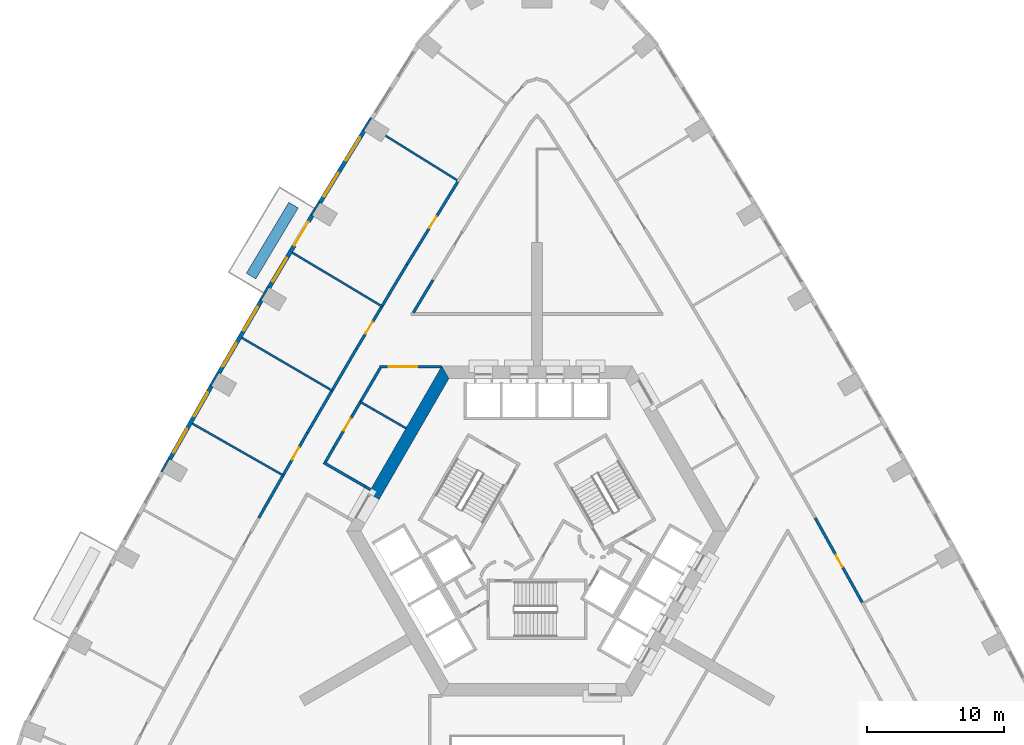
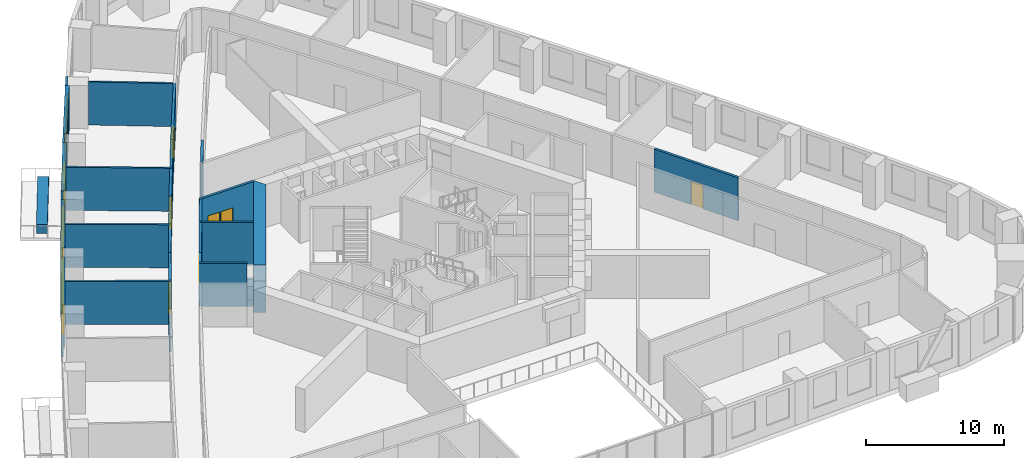
# One storey, part 8 of 15: 31 walls, 8 doors, 7 windows, 15 openings.
"""IFC4 building model written with IfcOpenShell, lengths in metres."""

from ifc_helpers import new_model, si_unit, direction, frame, frame_2d, origin, place, context, subcontext, project, spatial, polyline, rectangle, outline, extrude, material, layer, layer_set, type_object, element, fill, save


model = new_model("IFC4")

# Units and contexts
model_context = context("Model", 3, precision=1e-05, world=origin(), true_north=direction((0.0, 1.0)))
body_context = subcontext(model_context, "Body", "Model", "MODEL_VIEW")
ifc_project = project(units=[si_unit("LENGTHUNIT", "METRE"), si_unit("AREAUNIT", "SQUARE_METRE"), si_unit("VOLUMEUNIT", "CUBIC_METRE"), si_unit("PLANEANGLEUNIT", "RADIAN"), si_unit("MASSUNIT", "GRAM", prefix="KILO")], contexts=[model_context])

# Site, building, storey
site_placement = place(None, origin())
site = spatial("IfcSite", under=ifc_project, at=site_placement, CompositionType="ELEMENT")
building_placement = place(site_placement, origin())
building = spatial("IfcBuilding", under=site, at=building_placement, Name="Entoto Arch Interchange Tower", CompositionType="ELEMENT")
storey_placement = place(building_placement, frame((0.0, 0.0, 120.199951171875)))
storey = spatial("IfcBuildingStorey", under=building, at=storey_placement, Name="L26", CompositionType="ELEMENT", Elevation=120.199951171875)

# Walls
ifc_material_1 = material(Name="Concrete C60/75", Category="concrete")
ifc_layer_1 = layer(ifc_material_1, 0.89990234375)
ifc_layer_set_1 = layer_set([ifc_layer_1], Name="Concrete C60/75")
wall_type_1 = type_object("IfcWallType", Name="Core wall 900 C60/75", PredefinedType="SHEAR", material=ifc_layer_set_1)
wall_1_placement = place(storey_placement, frame((0.0, 0.0, -0.39990234375)))
element("IfcWall", 1, at=wall_1_placement, inside=storey, type_object=wall_type_1, Name="Core wall NW L26", PredefinedType="SHEAR", context=body_context, shape_type="SweptSolid", body=[
    extrude(outline(polyline([(-12.26708984375, 5.251953125), (-11.488037109375, 4.802001953125), (-6.408935546875, 13.60009765625), (-6.927978515625, 14.5), (-12.26708984375, 5.251953125)])), origin(), (0.0, 0.0, 1.0), 4.199951171875),
])
ifc_material_2 = material(Name="Gypsum board partition on steel studs", Category="steel")
ifc_layer_2 = layer(ifc_material_2, 0.14990234375)
ifc_layer_set_2 = layer_set([ifc_layer_2], Name="Gypsum board partition on steel studs")
wall_type_2 = type_object("IfcWallType", Name="PARTITION 150", PredefinedType="PARTITIONING", material=ifc_layer_set_2)
wall_2_placement = place(storey_placement, frame((-9.537109375, 9.98095703125, 0.0), z_axis=(0.0, 0.0, 1.0), x_axis=(-0.866068787954, 0.499924848885, 0.0)))
element("IfcWall", 2, at=wall_2_placement, inside=storey, type_object=wall_type_2, Name="wall:L26:p089", PredefinedType="PARTITIONING", context=body_context, shape_type="SweptSolid", body=[
    extrude(rectangle(XDim=3.82861328125, YDim=0.14990234375, at=frame_2d((1.914306640625, 0.0))), origin(), (0.0, 0.0, 1.0), 3.800048828125),
])
wall_3_placement = place(storey_placement, frame((-5.81396484375, 28.031005859375, 0.0), z_axis=(0.0, 0.0, 1.0), x_axis=(-0.849222099047, 0.528035819324, 0.0)))
element("IfcWall", 3, at=wall_3_placement, inside=storey, type_object=wall_type_2, Name="wall:L26:p127", PredefinedType="PARTITIONING", context=body_context, shape_type="SweptSolid", body=[
    extrude(rectangle(XDim=6.13037109375, YDim=0.14990234375, at=frame_2d((3.065185546875, 0.0))), origin(), (0.0, 0.0, 1.0), 3.800048828125),
])
wall_4_placement = place(storey_placement, frame((-11.201904296875, 18.802978515625, 0.0), z_axis=(0.0, 0.0, 1.0), x_axis=(-0.857778149162, 0.514020084062, 0.0)))
element("IfcWall", 4, at=wall_4_placement, inside=storey, type_object=wall_type_2, Name="wall:L26:p128", PredefinedType="PARTITIONING", context=body_context, shape_type="SweptSolid", body=[
    extrude(rectangle(XDim=7.7001953125, YDim=0.14990234375, at=frame_2d((3.85009765625, 0.0))), origin(), (0.0, 0.0, 1.0), 3.800048828125),
])
wall_5_placement = place(storey_placement, frame((-14.830078125, 12.674072265625, 0.0), z_axis=(0.0, 0.0, 1.0), x_axis=(-0.863237916953, 0.504797284794, 0.0)))
element("IfcWall", 5, at=wall_5_placement, inside=storey, type_object=wall_type_2, Name="wall:L26:p129", PredefinedType="PARTITIONING", context=body_context, shape_type="SweptSolid", body=[
    extrude(rectangle(XDim=7.699951171875, YDim=0.14990234375, at=frame_2d((3.85009765625, 0.0))), origin(), (0.0, 0.0, 1.0), 3.800048828125),
])
wall_6_placement = place(storey_placement, frame((-18.39111328125, 6.506103515625, 0.0), z_axis=(0.0, 0.0, 1.0), x_axis=(-0.868738258528, 0.495271479261, 0.0)))
element("IfcWall", 6, at=wall_6_placement, inside=storey, type_object=wall_type_2, Name="wall:L26:p130", PredefinedType="PARTITIONING", context=body_context, shape_type="SweptSolid", body=[
    extrude(rectangle(XDim=7.70068359375, YDim=0.14990234375, at=frame_2d((3.850341796875, 0.0))), origin(), (0.0, 0.0, 1.0), 3.800048828125),
])
ifc_layer_3 = layer(ifc_material_2, 0.199951171875)
ifc_layer_set_3 = layer_set([ifc_layer_3], Name="Gypsum board partition on steel studs")
wall_type_3 = type_object("IfcWallType", Name="PARTITION 200", PredefinedType="PARTITIONING", material=ifc_layer_set_3)
wall_7_placement = place(storey_placement, frame((-11.408935546875, 14.364013671875, 0.0), z_axis=(0.0, 0.0, 1.0), x_axis=(-0.504846343003, -0.863209227219, 0.0)))
element("IfcWall", 7, at=wall_7_placement, inside=storey, type_object=wall_type_3, Name="wall:L26:p001", PredefinedType="PARTITIONING", context=body_context, shape_type="SweptSolid", body=[
    extrude(rectangle(XDim=2.784912109375, YDim=0.199951171875, at=frame_2d((1.392578125, 0.0))), origin(), (0.0, 0.0, 1.0), 3.800048828125),
])

# Wall, opening, door
wall_8_placement = place(storey_placement, frame((-12.81494140625, 11.9599609375, 0.0), z_axis=(0.0, 0.0, 1.0), x_axis=(-0.5048198861, -0.863224699946, 0.0)))
wall_8 = element("IfcWall", 8, at=wall_8_placement, inside=storey, type_object=wall_type_3, Name="wall:L26:p002", PredefinedType="PARTITIONING", context=body_context, shape_type="SweptSolid", body=[
    extrude(rectangle(XDim=3.9501953125, YDim=0.199951171875, at=frame_2d((1.97509765625, 0.0))), origin(), (0.0, 0.0, 1.0), 3.800048828125),
])
opening_1_placement = place(wall_8_placement, frame((1.47509765625, 0.0, 0.0)))
opening_1 = element("IfcOpeningElement", 9, at=opening_1_placement, cuts=wall_8, Name="Opening L26-D25", PredefinedType="OPENING", context=body_context, shape_type="SweptSolid", body=[
    extrude(rectangle(XDim=1.0, YDim=2.10009765625, at=frame_2d((0.5, 1.050048828125))), frame((0.0, 0.10986328125, 0.0), z_axis=(0.0, -1.0, 0.0), x_axis=(1.0, 0.0, 0.0)), (0.0, 0.0, 1.0), 0.219970703125),
])
ifc_material_3 = material(Name="Timber door leaf in Steel S235 frame", Category="steel")
door_type_1 = type_object("IfcDoorType", Name="DOOR DS-10 1000x2100", OperationType="SINGLE_SWING_LEFT", PredefinedType="DOOR", material=ifc_material_3)
door_1_placement = place(opening_1_placement, origin())
door_1 = element("IfcDoor", 10, at=door_1_placement, inside=storey, type_object=door_type_1, Name="door:L26:25", OperationType="SINGLE_SWING_RIGHT", OverallHeight=2.10009765625, OverallWidth=1.0, PredefinedType="DOOR", context=body_context, shape_type="SweptSolid", body=[
    extrude(rectangle(XDim=1.0, YDim=2.10009765625, at=frame_2d((0.5, 1.050048828125))), frame((0.0, 0.02490234375, 0.0), z_axis=(0.0, -1.0, 0.0), x_axis=(1.0, 0.0, 0.0)), (0.0, 0.0, 1.0), 0.050048828125),
])
fill(opening_1, door_1)

# Walls
wall_9_placement = place(storey_placement, frame((-14.80908203125, 8.550048828125, 0.0), z_axis=(0.0, 0.0, 1.0), x_axis=(-0.495074026382, -0.868850797549, 0.0)))
element("IfcWall", 11, at=wall_9_placement, inside=storey, type_object=wall_type_3, Name="wall:L26:p003", PredefinedType="PARTITIONING", context=body_context, shape_type="SweptSolid", body=[
    extrude(rectangle(XDim=1.185546875, YDim=0.199951171875, at=frame_2d((0.5927734375, 0.0))), origin(), (0.0, 0.0, 1.0), 3.800048828125),
])
wall_10_placement = place(storey_placement, frame((-15.531982421875, 7.48388671875, 0.0), z_axis=(0.0, 0.0, 1.0), x_axis=(0.866045954906, -0.499964402723, 0.0)))
element("IfcWall", 12, at=wall_10_placement, inside=storey, type_object=wall_type_3, Name="wall:L26:p004", PredefinedType="PARTITIONING", context=body_context, shape_type="SweptSolid", body=[
    extrude(rectangle(XDim=3.493896484375, YDim=0.199951171875, at=frame_2d((1.7470703125, 0.0))), origin(), (0.0, 0.0, 1.0), 3.800048828125),
])
wall_11_placement = place(storey_placement, frame((-7.575927734375, 20.76806640625, 0.0), z_axis=(0.0, 0.0, 1.0), x_axis=(-0.513900868925, -0.857849577092, 0.0)))
element("IfcWall", 13, at=wall_11_placement, inside=storey, type_object=wall_type_3, Name="wall:L26:p017", PredefinedType="PARTITIONING", context=body_context, shape_type="SweptSolid", body=[
    extrude(rectangle(XDim=2.77685546875, YDim=0.199951171875, at=frame_2d((1.388427734375, 0.0))), origin(), (0.0, 0.0, 1.0), 3.800048828125),
])

# Wall, opening, door
wall_12_placement = place(storey_placement, frame((20.241943359375, 3.4619140625, 0.0), z_axis=(0.0, 0.0, 1.0), x_axis=(0.485742937917, -0.874101709336, 0.0)))
wall_12 = element("IfcWall", 14, at=wall_12_placement, inside=storey, type_object=wall_type_3, Name="wall:L26:p046", PredefinedType="PARTITIONING", context=body_context, shape_type="SweptSolid", body=[
    extrude(rectangle(XDim=7.047119140625, YDim=0.199951171875, at=frame_2d((3.5234375, 0.0))), origin(), (0.0, 0.0, 1.0), 3.800048828125),
])
opening_2_placement = place(wall_12_placement, frame((3.09912109375, 0.0, 0.0)))
opening_2 = element("IfcOpeningElement", 15, at=opening_2_placement, cuts=wall_12, Name="Opening L26-D04", PredefinedType="OPENING", context=body_context, shape_type="SweptSolid", body=[
    extrude(rectangle(XDim=1.0, YDim=2.10009765625, at=frame_2d((0.5, 1.050048828125))), frame((0.0, 0.10986328125, 0.0), z_axis=(0.0, -1.0, 0.0), x_axis=(1.0, 0.0, 0.0)), (0.0, 0.0, 1.0), 0.219970703125),
])
door_2_placement = place(opening_2_placement, origin())
door_2 = element("IfcDoor", 16, at=door_2_placement, inside=storey, type_object=door_type_1, Name="door:L26:04", OperationType="SINGLE_SWING_LEFT", OverallHeight=2.10009765625, OverallWidth=1.0, PredefinedType="DOOR", context=body_context, shape_type="SweptSolid", body=[
    extrude(rectangle(XDim=1.0, YDim=2.10009765625, at=frame_2d((0.5, 1.050048828125))), frame((0.0, 0.02490234375, 0.0), z_axis=(0.0, -1.0, 0.0), x_axis=(1.0, 0.0, 0.0)), (0.0, 0.0, 1.0), 0.050048828125),
])
fill(opening_2, door_2)

# Wall
wall_13_placement = place(storey_placement, frame((-11.2490234375, 18.91796875, 0.0), z_axis=(0.0, 0.0, 1.0), x_axis=(0.513949903813, 0.857820200491, 0.0)))
element("IfcWall", 17, at=wall_13_placement, inside=storey, type_object=wall_type_3, Name="wall:L26:p058", PredefinedType="PARTITIONING", context=body_context, shape_type="SweptSolid", body=[
    extrude(rectangle(XDim=3.48681640625, YDim=0.199951171875, at=frame_2d((1.743408203125, 0.0))), origin(), (0.0, 0.0, 1.0), 3.800048828125),
])

# Wall, opening, door
wall_14_placement = place(storey_placement, frame((-9.45703125, 21.908935546875, 0.0), z_axis=(0.0, 0.0, 1.0), x_axis=(0.523366731761, 0.852107542559, 0.0)))
wall_14 = element("IfcWall", 18, at=wall_14_placement, inside=storey, type_object=wall_type_3, Name="wall:L26:p059", PredefinedType="PARTITIONING", context=body_context, shape_type="SweptSolid", body=[
    extrude(rectangle(XDim=7.048583984375, YDim=0.199951171875, at=frame_2d((3.5244140625, 0.0))), origin(), (0.0, 0.0, 1.0), 3.800048828125),
])
opening_3_placement = place(wall_14_placement, frame((3.09912109375, 0.0, 0.0)))
opening_3 = element("IfcOpeningElement", 19, at=opening_3_placement, cuts=wall_14, Name="Opening L26-D10", PredefinedType="OPENING", context=body_context, shape_type="SweptSolid", body=[
    extrude(rectangle(XDim=1.0, YDim=2.10009765625, at=frame_2d((0.5, 1.050048828125))), frame((0.0, 0.10986328125, 0.0), z_axis=(0.0, -1.0, 0.0), x_axis=(1.0, 0.0, 0.0)), (0.0, 0.0, 1.0), 0.219970703125),
])
door_3_placement = place(opening_3_placement, origin())
door_3 = element("IfcDoor", 20, at=door_3_placement, inside=storey, type_object=door_type_1, Name="door:L26:10", OperationType="SINGLE_SWING_LEFT", OverallHeight=2.10009765625, OverallWidth=1.0, PredefinedType="DOOR", context=body_context, shape_type="SweptSolid", body=[
    extrude(rectangle(XDim=1.0, YDim=2.10009765625, at=frame_2d((0.5, 1.050048828125))), frame((0.0, 0.02490234375, 0.0), z_axis=(0.0, -1.0, 0.0), x_axis=(1.0, 0.0, 0.0)), (0.0, 0.0, 1.0), 0.050048828125),
])
fill(opening_3, door_3)

# Wall
wall_15_placement = place(storey_placement, frame((-14.87890625, 12.7890625, 0.0), z_axis=(0.0, 0.0, 1.0), x_axis=(0.504763220102, 0.863257836126, 0.0)))
element("IfcWall", 21, at=wall_15_placement, inside=storey, type_object=wall_type_3, Name="wall:L26:p060", PredefinedType="PARTITIONING", context=body_context, shape_type="SweptSolid", body=[
    extrude(rectangle(XDim=3.48681640625, YDim=0.199951171875, at=frame_2d((1.743408203125, 0.0))), origin(), (0.0, 0.0, 1.0), 3.800048828125),
])

# Wall, opening, door
wall_16_placement = place(storey_placement, frame((-13.118896484375, 15.799072265625, 0.0), z_axis=(0.0, 0.0, 1.0), x_axis=(0.514155958966, 0.857696712049, 0.0)))
wall_16 = element("IfcWall", 22, at=wall_16_placement, inside=storey, type_object=wall_type_3, Name="wall:L26:p061", PredefinedType="PARTITIONING", context=body_context, shape_type="SweptSolid", body=[
    extrude(rectangle(XDim=3.4873046875, YDim=0.199951171875, at=frame_2d((1.74365234375, 0.0))), origin(), (0.0, 0.0, 1.0), 3.800048828125),
])
opening_4_placement = place(wall_16_placement, frame((1.243896484375, 0.0, 0.0)))
opening_4 = element("IfcOpeningElement", 23, at=opening_4_placement, cuts=wall_16, Name="Opening L26-D11", PredefinedType="OPENING", context=body_context, shape_type="SweptSolid", body=[
    extrude(rectangle(XDim=1.0, YDim=2.10009765625, at=frame_2d((0.5, 1.050048828125))), frame((0.0, 0.10986328125, 0.0), z_axis=(0.0, -1.0, 0.0), x_axis=(1.0, 0.0, 0.0)), (0.0, 0.0, 1.0), 0.219970703125),
])
door_4_placement = place(opening_4_placement, origin())
door_4 = element("IfcDoor", 24, at=door_4_placement, inside=storey, type_object=door_type_1, Name="door:L26:11", OperationType="SINGLE_SWING_LEFT", OverallHeight=2.10009765625, OverallWidth=1.0, PredefinedType="DOOR", context=body_context, shape_type="SweptSolid", body=[
    extrude(rectangle(XDim=1.0, YDim=2.10009765625, at=frame_2d((0.5, 1.050048828125))), frame((0.0, 0.02490234375, 0.0), z_axis=(0.0, -1.0, 0.0), x_axis=(1.0, 0.0, 0.0)), (0.0, 0.0, 1.0), 0.050048828125),
])
fill(opening_4, door_4)

wall_17_placement = place(storey_placement, frame((-18.44091796875, 6.62109375, 0.0), z_axis=(0.0, 0.0, 1.0), x_axis=(0.495286549488, 0.868729666753, 0.0)))
wall_17 = element("IfcWall", 25, at=wall_17_placement, inside=storey, type_object=wall_type_3, Name="wall:L26:p062", PredefinedType="PARTITIONING", context=body_context, shape_type="SweptSolid", body=[
    extrude(rectangle(XDim=3.486572265625, YDim=0.199951171875, at=frame_2d((1.7431640625, 0.0))), origin(), (0.0, 0.0, 1.0), 3.800048828125),
])
opening_5_placement = place(wall_17_placement, frame((1.242919921875, 0.0, 0.0)))
opening_5 = element("IfcOpeningElement", 26, at=opening_5_placement, cuts=wall_17, Name="Opening L26-D12", PredefinedType="OPENING", context=body_context, shape_type="SweptSolid", body=[
    extrude(rectangle(XDim=1.0, YDim=2.10009765625, at=frame_2d((0.5, 1.050048828125))), frame((0.0, 0.10986328125, 0.0), z_axis=(0.0, -1.0, 0.0), x_axis=(1.0, 0.0, 0.0)), (0.0, 0.0, 1.0), 0.219970703125),
])
door_5_placement = place(opening_5_placement, origin())
door_5 = element("IfcDoor", 27, at=door_5_placement, inside=storey, type_object=door_type_1, Name="door:L26:12", OperationType="SINGLE_SWING_RIGHT", OverallHeight=2.10009765625, OverallWidth=1.0, PredefinedType="DOOR", context=body_context, shape_type="SweptSolid", body=[
    extrude(rectangle(XDim=1.0, YDim=2.10009765625, at=frame_2d((0.5, 1.050048828125))), frame((0.0, 0.02490234375, 0.0), z_axis=(0.0, -1.0, 0.0), x_axis=(1.0, 0.0, 0.0)), (0.0, 0.0, 1.0), 0.050048828125),
])
fill(opening_5, door_5)

# Walls
wall_18_placement = place(storey_placement, frame((-16.714111328125, 9.64990234375, 0.0), z_axis=(0.0, 0.0, 1.0), x_axis=(0.504885284202, 0.863186451351, 0.0)))
element("IfcWall", 28, at=wall_18_placement, inside=storey, type_object=wall_type_3, Name="wall:L26:p063", PredefinedType="PARTITIONING", context=body_context, shape_type="SweptSolid", body=[
    extrude(rectangle(XDim=3.48583984375, YDim=0.199951171875, at=frame_2d((1.742919921875, 0.0))), origin(), (0.0, 0.0, 1.0), 3.800048828125),
])
wall_19_placement = place(storey_placement, frame((-20.241943359375, 3.4619140625, 0.0), z_axis=(0.0, 0.0, 1.0), x_axis=(0.495309264725, 0.868716715781, 0.0)))
element("IfcWall", 29, at=wall_19_placement, inside=storey, type_object=wall_type_3, Name="wall:L26:p065", PredefinedType="PARTITIONING", context=body_context, shape_type="SweptSolid", body=[
    extrude(rectangle(XDim=3.48681640625, YDim=0.199951171875, at=frame_2d((1.743408203125, 0.0))), origin(), (0.0, 0.0, 1.0), 3.800048828125),
])

# Wall, openings, doors
wall_20_placement = place(storey_placement, frame((-6.95703125, 14.449951171875, 0.0), z_axis=(0.0, 0.0, 1.0), x_axis=(-1.0, 0.0, 0.0)))
wall_20 = element("IfcWall", 30, at=wall_20_placement, inside=storey, type_object=wall_type_3, Name="wall:L26:p090", PredefinedType="PARTITIONING", context=body_context, shape_type="SweptSolid", body=[
    extrude(rectangle(XDim=4.501953125, YDim=0.199951171875, at=frame_2d((2.2509765625, 0.0))), origin(), (0.0, 0.0, 1.0), 3.800048828125),
])
opening_6_placement = place(wall_20_placement, frame((1.7509765625, 0.0, 0.0)))
opening_6 = element("IfcOpeningElement", 31, at=opening_6_placement, cuts=wall_20, Name="Opening L26-D24", PredefinedType="OPENING", context=body_context, shape_type="SweptSolid", body=[
    extrude(rectangle(XDim=1.0, YDim=2.10009765625, at=frame_2d((0.5, 1.050048828125))), frame((0.0, 0.10986328125, 0.0), z_axis=(0.0, -1.0, 0.0), x_axis=(1.0, 0.0, 0.0)), (0.0, 0.0, 1.0), 0.219970703125),
])
opening_7_placement = place(wall_20_placement, frame((2.85107421875, 0.0, 0.0)))
opening_7 = element("IfcOpeningElement", 32, at=opening_7_placement, cuts=wall_20, Name="Opening L26-D32", PredefinedType="OPENING", context=body_context, shape_type="SweptSolid", body=[
    extrude(rectangle(XDim=1.0, YDim=2.10009765625, at=frame_2d((0.5, 1.050048828125))), frame((0.0, 0.10986328125, 0.0), z_axis=(0.0, -1.0, 0.0), x_axis=(1.0, 0.0, 0.0)), (0.0, 0.0, 1.0), 0.219970703125),
])
door_6_placement = place(opening_6_placement, origin())
door_6 = element("IfcDoor", 33, at=door_6_placement, inside=storey, type_object=door_type_1, Name="door:L26:24", OperationType="SINGLE_SWING_LEFT", OverallHeight=2.10009765625, OverallWidth=1.0, PredefinedType="DOOR", context=body_context, shape_type="SweptSolid", body=[
    extrude(rectangle(XDim=1.0, YDim=2.10009765625, at=frame_2d((0.5, 1.050048828125))), frame((0.0, 0.02490234375, 0.0), z_axis=(0.0, -1.0, 0.0), x_axis=(1.0, 0.0, 0.0)), (0.0, 0.0, 1.0), 0.050048828125),
])
fill(opening_6, door_6)
door_7_placement = place(opening_7_placement, origin())
door_7 = element("IfcDoor", 34, at=door_7_placement, inside=storey, type_object=door_type_1, Name="door:L26:32", OperationType="SINGLE_SWING_RIGHT", OverallHeight=2.10009765625, OverallWidth=1.0, PredefinedType="DOOR", context=body_context, shape_type="SweptSolid", body=[
    extrude(rectangle(XDim=1.0, YDim=2.10009765625, at=frame_2d((0.5, 1.050048828125))), frame((0.0, 0.02490234375, 0.0), z_axis=(0.0, -1.0, 0.0), x_axis=(1.0, 0.0, 0.0)), (0.0, 0.0, 1.0), 0.050048828125),
])
fill(opening_7, door_7)

# Walls
wall_21_placement = place(storey_placement, frame((-12.506103515625, 5.737060546875, 0.0), z_axis=(0.0, 0.0, 1.0), x_axis=(0.865624510465, -0.500693725627, 0.0)))
element("IfcWall", 35, at=wall_21_placement, inside=storey, type_object=wall_type_3, Name="wall:L26:p004", PredefinedType="PARTITIONING", context=body_context, shape_type="SweptSolid", body=[
    extrude(rectangle(XDim=0.449462890625, YDim=0.199951171875, at=frame_2d((0.224609375, 0.0))), origin(), (0.0, 0.0, 1.0), 2.400146484375),
])
ifc_material_4 = material(Name="Board-marked precast concrete C50/60", Category="concrete")
ifc_layer_4 = layer(ifc_material_4, 0.800048828125)
ifc_layer_set_4 = layer_set([ifc_layer_4], Name="Board-marked precast concrete C50/60")
wall_type_4 = type_object("IfcWallType", Name="PLANTER RC 800 Afrocarpus falcatus", PredefinedType="STANDARD", material=ifc_layer_set_4)
wall_22_placement = place(storey_placement, frame((-17.719970703125, 26.2119140625, 0.0), z_axis=(0.0, 0.0, 1.0), x_axis=(-0.514017743989, -0.857779551437, 0.0)))
element("IfcWall", 36, at=wall_22_placement, inside=storey, type_object=wall_type_4, Name="Planter NW-03 L26", PredefinedType="STANDARD", context=body_context, shape_type="SweptSolid", body=[
    extrude(rectangle(XDim=6.009765625, YDim=0.800048828125, at=frame_2d((3.0048828125, 0.0))), origin(), (0.0, 0.0, 1.0), 0.800048828125),
])

# Wall, openings, windows
ifc_material_5 = material(Name="Welded tuff (ignimbrite) cladding, warm buff", Category="masonry")
ifc_layer_5 = layer(ifc_material_5, 0.300048828125)
ifc_layer_set_5 = layer_set([ifc_layer_5], Name="Welded tuff (ignimbrite) cladding, warm buff")
wall_type_5 = type_object("IfcWallType", Name="STONE INFILL WALL 300", PredefinedType="STANDARD", material=ifc_layer_set_5)
wall_23_placement = place(storey_placement, frame((-12.597900390625, 31.60302734375, 0.0), z_axis=(0.0, 0.0, 1.0), x_axis=(-0.523417276981, -0.852076495485, 0.0)))
wall_23 = element("IfcWall", 37, at=wall_23_placement, inside=storey, type_object=wall_type_5, Name="Facade wall NW-02 L26", PredefinedType="STANDARD", context=body_context, shape_type="SweptSolid", body=[
    extrude(rectangle(XDim=6.10986328125, YDim=0.300048828125, at=frame_2d((3.054931640625, 0.0))), origin(), (0.0, 0.0, 1.0), 3.800048828125),
])
opening_8_placement = place(wall_23_placement, frame((0.527099609375, 0.0, 0.89990234375)))
opening_8 = element("IfcOpeningElement", 38, at=opening_8_placement, cuts=wall_23, Name="Opening WO-C", PredefinedType="OPENING", context=body_context, shape_type="SweptSolid", body=[
    extrude(rectangle(XDim=2.0, YDim=2.60009765625, at=frame_2d((1.0, 1.300048828125))), frame((0.0, 0.16015625, 0.0), z_axis=(0.0, -1.0, 0.0), x_axis=(1.0, 0.0, 0.0)), (0.0, 0.0, 1.0), 0.320068359375),
])
opening_9_placement = place(wall_23_placement, frame((3.58203125, 0.0, 0.89990234375)))
opening_9 = element("IfcOpeningElement", 39, at=opening_9_placement, cuts=wall_23, Name="Opening WO-C", PredefinedType="OPENING", context=body_context, shape_type="SweptSolid", body=[
    extrude(rectangle(XDim=2.0, YDim=2.60009765625, at=frame_2d((1.0, 1.300048828125))), frame((0.0, 0.16015625, 0.0), z_axis=(0.0, -1.0, 0.0), x_axis=(1.0, 0.0, 0.0)), (0.0, 0.0, 1.0), 0.320068359375),
])
ifc_material_6 = material(Name="Clear glass, low-e double glazed", Category="glass")
window_type = type_object("IfcWindowType", Name="WINDOW WO-C 2000x2600", PartitioningType="DOUBLE_PANEL_VERTICAL", PredefinedType="WINDOW", material=ifc_material_6)
window_1_placement = place(opening_8_placement, origin())
window_1 = element("IfcWindow", 40, at=window_1_placement, inside=storey, type_object=window_type, Name="Window WO-C NW-02 L26", OverallHeight=2.60009765625, OverallWidth=2.0, PartitioningType="SINGLE_PANEL", PredefinedType="WINDOW", context=body_context, shape_type="SweptSolid", body=[
    extrude(rectangle(XDim=2.0, YDim=2.60009765625, at=frame_2d((1.0, 1.300048828125))), frame((0.0, 0.030029296875, 0.0), z_axis=(0.0, -1.0, 0.0), x_axis=(1.0, 0.0, 0.0)), (0.0, 0.0, 1.0), 0.06005859375),
])
fill(opening_8, window_1)
window_2_placement = place(opening_9_placement, origin())
window_2 = element("IfcWindow", 41, at=window_2_placement, inside=storey, type_object=window_type, Name="Window WO-C NW-02 L26", OverallHeight=2.60009765625, OverallWidth=2.0, PartitioningType="SINGLE_PANEL", PredefinedType="WINDOW", context=body_context, shape_type="SweptSolid", body=[
    extrude(rectangle(XDim=2.0, YDim=2.60009765625, at=frame_2d((1.0, 1.300048828125))), frame((0.0, 0.030029296875, 0.0), z_axis=(0.0, -1.0, 0.0), x_axis=(1.0, 0.0, 0.0)), (0.0, 0.0, 1.0), 0.06005859375),
])
fill(opening_9, window_2)

# Wall, openings, door, window
wall_24_placement = place(storey_placement, frame((-16.364990234375, 25.4580078125, 0.0), z_axis=(0.0, 0.0, 1.0), x_axis=(-0.514078503149, -0.857743139057, 0.0)))
wall_24 = element("IfcWall", 42, at=wall_24_placement, inside=storey, type_object=wall_type_5, Name="Facade wall NW-03 L26", PredefinedType="STANDARD", context=body_context, shape_type="SweptSolid", body=[
    extrude(rectangle(XDim=6.110107421875, YDim=0.300048828125, at=frame_2d((3.05517578125, 0.0))), origin(), (0.0, 0.0, 1.0), 3.800048828125),
])
opening_10_placement = place(wall_24_placement, frame((0.528076171875, 0.0, 0.0)))
opening_10 = element("IfcOpeningElement", 43, at=opening_10_placement, cuts=wall_24, Name="Opening DB-NW-03-L26", PredefinedType="OPENING", context=body_context, shape_type="SweptSolid", body=[
    extrude(rectangle(XDim=2.0, YDim=2.39990234375, at=frame_2d((1.0, 1.199951171875))), frame((0.0, 0.16015625, 0.0), z_axis=(0.0, -1.0, 0.0), x_axis=(1.0, 0.0, 0.0)), (0.0, 0.0, 1.0), 0.320068359375),
])
opening_11_placement = place(wall_24_placement, frame((3.5830078125, 0.0, 0.89990234375)))
opening_11 = element("IfcOpeningElement", 44, at=opening_11_placement, cuts=wall_24, Name="Opening WO-C", PredefinedType="OPENING", context=body_context, shape_type="SweptSolid", body=[
    extrude(rectangle(XDim=2.0, YDim=2.60009765625, at=frame_2d((1.0, 1.300048828125))), frame((0.0, 0.16015625, 0.0), z_axis=(0.0, -1.0, 0.0), x_axis=(1.0, 0.0, 0.0)), (0.0, 0.0, 1.0), 0.320068359375),
])
ifc_material_7 = material(Name="Aluminium and clear glass, anodised", Category="aluminium")
door_type_2 = type_object("IfcDoorType", Name="BALCONY DOOR DB 2000x2400", OperationType="SLIDING_TO_LEFT", PredefinedType="DOOR", material=ifc_material_7)
door_8_placement = place(opening_10_placement, origin())
door_8 = element("IfcDoor", 45, at=door_8_placement, inside=storey, type_object=door_type_2, Name="Balcony door NW-03 L26", OperationType="SLIDING_TO_LEFT", OverallHeight=2.39990234375, OverallWidth=2.0, PredefinedType="DOOR", context=body_context, shape_type="SweptSolid", body=[
    extrude(rectangle(XDim=2.0, YDim=2.39990234375, at=frame_2d((1.0, 1.199951171875))), frame((0.0, 0.02490234375, 0.0), z_axis=(0.0, -1.0, 0.0), x_axis=(1.0, 0.0, 0.0)), (0.0, 0.0, 1.0), 0.050048828125),
])
fill(opening_10, door_8)
window_3_placement = place(opening_11_placement, origin())
window_3 = element("IfcWindow", 46, at=window_3_placement, inside=storey, type_object=window_type, Name="Window WO-C NW-03 L26", OverallHeight=2.60009765625, OverallWidth=2.0, PartitioningType="SINGLE_PANEL", PredefinedType="WINDOW", context=body_context, shape_type="SweptSolid", body=[
    extrude(rectangle(XDim=2.0, YDim=2.60009765625, at=frame_2d((1.0, 1.300048828125))), frame((0.0, 0.030029296875, 0.0), z_axis=(0.0, -1.0, 0.0), x_axis=(1.0, 0.0, 0.0)), (0.0, 0.0, 1.0), 0.06005859375),
])
fill(opening_11, window_3)

# Wall, openings, windows
wall_25_placement = place(storey_placement, frame((-20.06494140625, 19.27294921875, 0.0), z_axis=(0.0, 0.0, 1.0), x_axis=(-0.504790055126, -0.863242144619, 0.0)))
wall_25 = element("IfcWall", 47, at=wall_25_placement, inside=storey, type_object=wall_type_5, Name="Facade wall NW-04 L26", PredefinedType="STANDARD", context=body_context, shape_type="SweptSolid", body=[
    extrude(rectangle(XDim=6.109375, YDim=0.300048828125, at=frame_2d((3.0546875, 0.0))), origin(), (0.0, 0.0, 1.0), 3.800048828125),
])
opening_12_placement = place(wall_25_placement, frame((0.527099609375, 0.0, 0.89990234375)))
opening_12 = element("IfcOpeningElement", 48, at=opening_12_placement, cuts=wall_25, Name="Opening WO-C", PredefinedType="OPENING", context=body_context, shape_type="SweptSolid", body=[
    extrude(rectangle(XDim=2.0, YDim=2.60009765625, at=frame_2d((1.0, 1.300048828125))), frame((0.0, 0.16015625, 0.0), z_axis=(0.0, -1.0, 0.0), x_axis=(1.0, 0.0, 0.0)), (0.0, 0.0, 1.0), 0.320068359375),
])
opening_13_placement = place(wall_25_placement, frame((3.58203125, 0.0, 0.89990234375)))
opening_13 = element("IfcOpeningElement", 49, at=opening_13_placement, cuts=wall_25, Name="Opening WO-C", PredefinedType="OPENING", context=body_context, shape_type="SweptSolid", body=[
    extrude(rectangle(XDim=2.0, YDim=2.60009765625, at=frame_2d((1.0, 1.300048828125))), frame((0.0, 0.16015625, 0.0), z_axis=(0.0, -1.0, 0.0), x_axis=(1.0, 0.0, 0.0)), (0.0, 0.0, 1.0), 0.320068359375),
])
window_4_placement = place(opening_12_placement, origin())
window_4 = element("IfcWindow", 50, at=window_4_placement, inside=storey, type_object=window_type, Name="Window WO-C NW-04 L26", OverallHeight=2.60009765625, OverallWidth=2.0, PartitioningType="SINGLE_PANEL", PredefinedType="WINDOW", context=body_context, shape_type="SweptSolid", body=[
    extrude(rectangle(XDim=2.0, YDim=2.60009765625, at=frame_2d((1.0, 1.300048828125))), frame((0.0, 0.030029296875, 0.0), z_axis=(0.0, -1.0, 0.0), x_axis=(1.0, 0.0, 0.0)), (0.0, 0.0, 1.0), 0.06005859375),
])
fill(opening_12, window_4)
window_5_placement = place(opening_13_placement, origin())
window_5 = element("IfcWindow", 51, at=window_5_placement, inside=storey, type_object=window_type, Name="Window WO-C NW-04 L26", OverallHeight=2.60009765625, OverallWidth=2.0, PartitioningType="SINGLE_PANEL", PredefinedType="WINDOW", context=body_context, shape_type="SweptSolid", body=[
    extrude(rectangle(XDim=2.0, YDim=2.60009765625, at=frame_2d((1.0, 1.300048828125))), frame((0.0, 0.030029296875, 0.0), z_axis=(0.0, -1.0, 0.0), x_axis=(1.0, 0.0, 0.0)), (0.0, 0.0, 1.0), 0.06005859375),
])
fill(opening_13, window_5)

wall_26_placement = place(storey_placement, frame((-23.697998046875, 13.048095703125, 0.0), z_axis=(0.0, 0.0, 1.0), x_axis=(-0.495114366991, -0.868827810098, 0.0)))
wall_26 = element("IfcWall", 52, at=wall_26_placement, inside=storey, type_object=wall_type_5, Name="Facade wall NW-05 L26", PredefinedType="STANDARD", context=body_context, shape_type="SweptSolid", body=[
    extrude(rectangle(XDim=6.109619140625, YDim=0.300048828125, at=frame_2d((3.0546875, 0.0))), origin(), (0.0, 0.0, 1.0), 3.800048828125),
])
opening_14_placement = place(wall_26_placement, frame((0.527099609375, 0.0, 0.89990234375)))
opening_14 = element("IfcOpeningElement", 53, at=opening_14_placement, cuts=wall_26, Name="Opening WO-C", PredefinedType="OPENING", context=body_context, shape_type="SweptSolid", body=[
    extrude(rectangle(XDim=2.0, YDim=2.60009765625, at=frame_2d((1.0, 1.300048828125))), frame((0.0, 0.16015625, 0.0), z_axis=(0.0, -1.0, 0.0), x_axis=(1.0, 0.0, 0.0)), (0.0, 0.0, 1.0), 0.320068359375),
])
opening_15_placement = place(wall_26_placement, frame((3.58203125, 0.0, 0.89990234375)))
opening_15 = element("IfcOpeningElement", 54, at=opening_15_placement, cuts=wall_26, Name="Opening WO-C", PredefinedType="OPENING", context=body_context, shape_type="SweptSolid", body=[
    extrude(rectangle(XDim=2.0, YDim=2.60009765625, at=frame_2d((1.0, 1.300048828125))), frame((0.0, 0.16015625, 0.0), z_axis=(0.0, -1.0, 0.0), x_axis=(1.0, 0.0, 0.0)), (0.0, 0.0, 1.0), 0.320068359375),
])
window_6_placement = place(opening_14_placement, origin())
window_6 = element("IfcWindow", 55, at=window_6_placement, inside=storey, type_object=window_type, Name="Window WO-C NW-05 L26", OverallHeight=2.60009765625, OverallWidth=2.0, PartitioningType="SINGLE_PANEL", PredefinedType="WINDOW", context=body_context, shape_type="SweptSolid", body=[
    extrude(rectangle(XDim=2.0, YDim=2.60009765625, at=frame_2d((1.0, 1.300048828125))), frame((0.0, 0.030029296875, 0.0), z_axis=(0.0, -1.0, 0.0), x_axis=(1.0, 0.0, 0.0)), (0.0, 0.0, 1.0), 0.06005859375),
])
fill(opening_14, window_6)
window_7_placement = place(opening_15_placement, origin())
window_7 = element("IfcWindow", 56, at=window_7_placement, inside=storey, type_object=window_type, Name="Window WO-C NW-05 L26", OverallHeight=2.60009765625, OverallWidth=2.0, PartitioningType="SINGLE_PANEL", PredefinedType="WINDOW", context=body_context, shape_type="SweptSolid", body=[
    extrude(rectangle(XDim=2.0, YDim=2.60009765625, at=frame_2d((1.0, 1.300048828125))), frame((0.0, 0.030029296875, 0.0), z_axis=(0.0, -1.0, 0.0), x_axis=(1.0, 0.0, 0.0)), (0.0, 0.0, 1.0), 0.06005859375),
])
fill(opening_15, window_7)

# Walls
ifc_layer_6 = layer(ifc_material_5, 0.14990234375)
ifc_layer_set_6 = layer_set([ifc_layer_6], Name="Welded tuff (ignimbrite) cladding, warm buff")
wall_type_6 = type_object("IfcWallType", Name="STONE PIER CLADDING 150", PredefinedType="STANDARD", material=ifc_layer_set_6)
wall_27_placement = place(storey_placement, frame((-12.0830078125, 32.576904296875, 0.0), z_axis=(0.0, 0.0, 1.0), x_axis=(-0.52997899071, -0.848010771987, 0.0)))
element("IfcWall", 57, at=wall_27_placement, inside=storey, type_object=wall_type_6, Name="Stone pier NW02 L26", PredefinedType="STANDARD", context=body_context, shape_type="SweptSolid", body=[
    extrude(rectangle(XDim=1.10009765625, YDim=0.14990234375, at=frame_2d((0.550048828125, 0.0))), origin(), (0.0, 0.0, 1.0), 3.800048828125),
])
wall_28_placement = place(storey_placement, frame((-15.861083984375, 26.43798828125, 0.0), z_axis=(0.0, 0.0, 1.0), x_axis=(-0.519869515594, -0.854245682901, 0.0)))
element("IfcWall", 58, at=wall_28_placement, inside=storey, type_object=wall_type_6, Name="Stone pier NW03 L26", PredefinedType="STANDARD", context=body_context, shape_type="SweptSolid", body=[
    extrude(rectangle(XDim=1.100341796875, YDim=0.14990234375, at=frame_2d((0.55029296875, 0.0))), origin(), (0.0, 0.0, 1.0), 3.800048828125),
])
wall_29_placement = place(storey_placement, frame((-19.572021484375, 20.258056640625, 0.0), z_axis=(0.0, 0.0, 1.0), x_axis=(-0.510082245696, -0.860125631885, 0.0)))
element("IfcWall", 59, at=wall_29_placement, inside=storey, type_object=wall_type_6, Name="Stone pier NW04 L26", PredefinedType="STANDARD", context=body_context, shape_type="SweptSolid", body=[
    extrude(rectangle(XDim=1.099853515625, YDim=0.14990234375, at=frame_2d((0.5498046875, 0.0))), origin(), (0.0, 0.0, 1.0), 3.800048828125),
])
wall_30_placement = place(storey_placement, frame((-23.216064453125, 14.0390625, 0.0), z_axis=(0.0, 0.0, 1.0), x_axis=(-0.499837685251, -0.86611909597, 0.0)))
element("IfcWall", 60, at=wall_30_placement, inside=storey, type_object=wall_type_6, Name="Stone pier NW05 L26", PredefinedType="STANDARD", context=body_context, shape_type="SweptSolid", body=[
    extrude(rectangle(XDim=1.100341796875, YDim=0.14990234375, at=frame_2d((0.55029296875, 0.0))), origin(), (0.0, 0.0, 1.0), 3.800048828125),
])
wall_31_placement = place(storey_placement, frame((-26.791015625, 7.780029296875, 0.0), z_axis=(0.0, 0.0, 1.0), x_axis=(-0.490008344094, -0.871717742574, 0.0)))
element("IfcWall", 61, at=wall_31_placement, inside=storey, type_object=wall_type_6, Name="Stone pier NW06 L26", PredefinedType="STANDARD", context=body_context, shape_type="SweptSolid", body=[
    extrude(rectangle(XDim=1.10009765625, YDim=0.14990234375, at=frame_2d((0.550048828125, 0.0))), origin(), (0.0, 0.0, 1.0), 3.800048828125),
])

save(model, "model.ifc")
